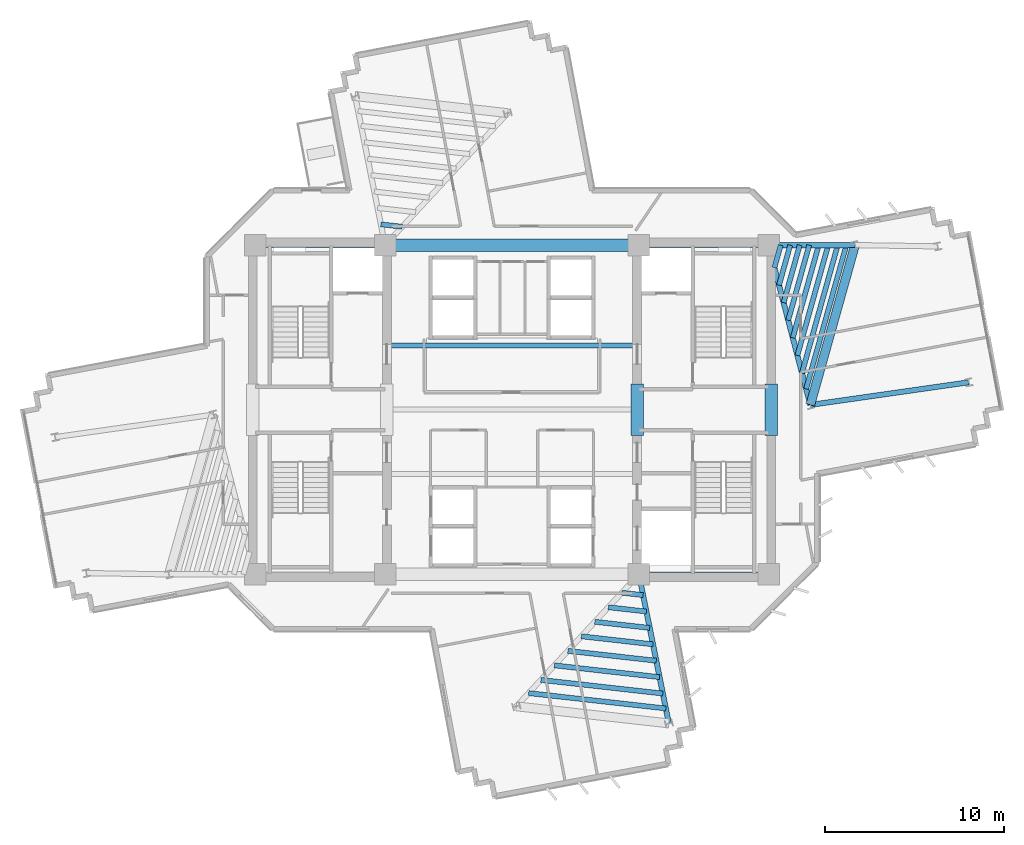
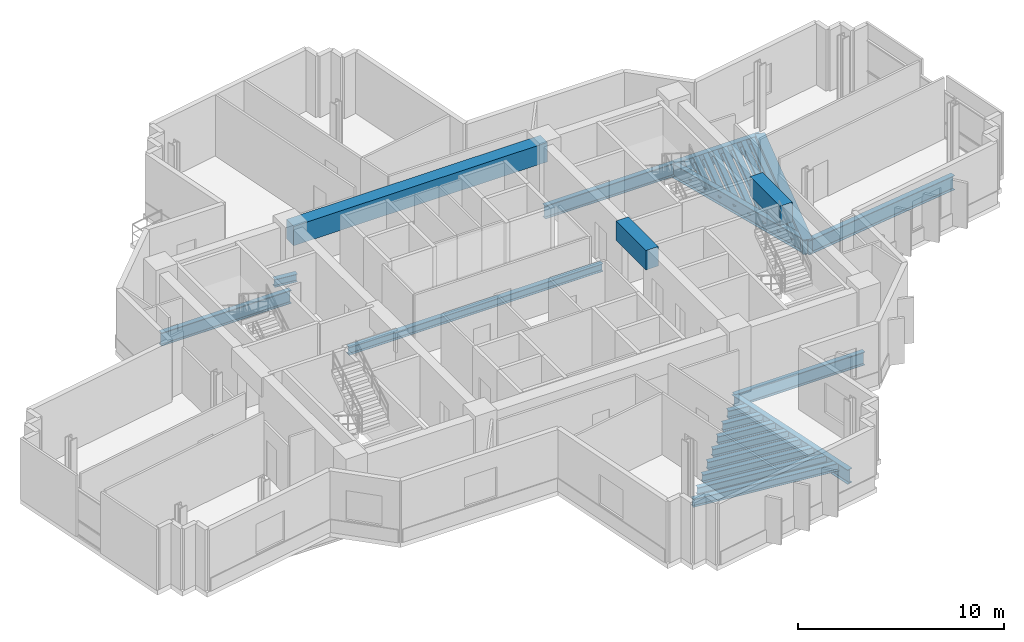
# One storey, part 5 of 16: 29 beams.
"""IFC4 building model written with IfcOpenShell, lengths in metres."""

from ifc_helpers import new_model, si_unit, direction, frame, origin, origin_2d, place, context, subcontext, project, spatial, rectangle, i_section, extrude, source, transform, mapped, material, material_profile, profile_set, type_object, element, save


model = new_model("IFC4")

# Units and contexts
model_context = context("Model", 3, precision=1e-05, world=origin(), true_north=direction((0.0, 1.0)))
body_context = subcontext(model_context, "Body", "Model", "MODEL_VIEW")
ifc_project = project(units=[si_unit("LENGTHUNIT", "METRE"), si_unit("AREAUNIT", "SQUARE_METRE"), si_unit("VOLUMEUNIT", "CUBIC_METRE"), si_unit("PLANEANGLEUNIT", "RADIAN"), si_unit("MASSUNIT", "GRAM", prefix="KILO")], contexts=[model_context])

# Site, building, storey
site_placement = place(None, origin())
site = spatial("IfcSite", under=ifc_project, at=site_placement, CompositionType="ELEMENT")
building_placement = place(site_placement, origin())
building = spatial("IfcBuilding", under=site, at=building_placement, Name="Zahravan Cultural Tower", CompositionType="ELEMENT")
storey_placement = place(building_placement, frame((0.0, 0.0, 155.10009765625)))
storey = spatial("IfcBuildingStorey", under=building, at=storey_placement, Name="L35", CompositionType="ELEMENT", Elevation=155.10009765625)

# Beams
ifc_material_1 = material(Name="Concrete C50/60", Category="concrete")
ifc_material_profile_1 = material_profile(ifc_material_1, rectangle(XDim=0.699951171875, YDim=1.14990234375, at=origin_2d()), Name="RC700X1150")
ifc_profile_set_1 = profile_set([ifc_material_profile_1], Name="Concrete C50/60")
beam_type_1 = type_object("IfcBeamType", Name="BM-LN-RC700X1150", PredefinedType="LINTEL", material=ifc_profile_set_1)
shared_shape_1 = source(origin(), body_context, "Body", "SweptSolid", [
    extrude(rectangle(XDim=0.699951171875, YDim=1.14990234375, at=origin_2d()), origin(), (0.0, 0.0, 1.0), 14.2001953125),
])
beam_1_placement = place(storey_placement, frame((28.89990234375, 36.199951171875, 3.044921875), z_axis=(1.0, 0.0, 0.0), x_axis=(0.0, 1.0, 0.0)))
element("IfcBeam", 1, at=beam_1_placement, inside=storey, type_object=beam_type_1, Name="L35 Beam LN-L35-N", PredefinedType="LINTEL", context=body_context, shape_type="MappedRepresentation", body=[
    mapped(shared_shape_1, transform((0.0, 0.0, 0.0), x_axis=(1.0, 0.0, 0.0), y_axis=(0.0, 1.0, 0.0), z_axis=(0.0, 0.0, 1.0), scale=1.0)),
])
shared_shape_2 = source(origin(), body_context, "Body", "SweptSolid", [
    extrude(rectangle(XDim=0.699951171875, YDim=1.14990234375, at=origin_2d()), origin(), (0.0, 0.0, 1.0), 2.89990234375),
])
for number, where, z_axis, x_axis, name in (
    (2, (43.0, 25.550048828125, 3.044921875), (0.0, 1.0, 0.0), (-1.0, 0.0, 0.0), "L35 Beam LN-L35-PEW"),
    (3, (50.5, 25.550048828125, 3.044921875), (0.0, 1.0, 0.0), (-1.0, 0.0, 0.0), "L35 Beam LN-L35-PEE"),
):
    element("IfcBeam", number, at=place(storey_placement, frame(where, z_axis=z_axis, x_axis=x_axis)), inside=storey, type_object=beam_type_1, Name=name, PredefinedType="LINTEL", context=body_context, shape_type="MappedRepresentation", body=[
        mapped(shared_shape_2, transform((0.0, 0.0, 0.0), x_axis=(1.0, 0.0, 0.0), y_axis=(0.0, 1.0, 0.0), z_axis=(0.0, 0.0, 1.0), scale=1.0)),
    ])
ifc_material_2 = material(Name="Steel ASTM A992 Grade 50", Category="steel")
ifc_material_profile_2 = material_profile(ifc_material_2, i_section(OverallWidth=0.26611328125, OverallDepth=0.780029296875, WebThickness=0.0166015625, FlangeThickness=0.030029296875, FilletRadius=0.01904296875, at=origin_2d()), Name="W30X148")
ifc_profile_set_2 = profile_set([ifc_material_profile_2], Name="Steel ASTM A992 Grade 50")
beam_type_2 = type_object("IfcBeamType", Name="BM-G-W30X148", PredefinedType="BEAM", material=ifc_profile_set_2)
shared_shape_3 = source(origin(), body_context, "Body", "SweptSolid", [
    extrude(i_section(OverallWidth=0.26611328125, OverallDepth=0.780029296875, WebThickness=0.0166015625, FlangeThickness=0.030029296875, FilletRadius=0.01904296875, at=origin_2d()), origin(), (0.0, 0.0, 1.0), 7.25),
])
for number, where, z_axis, x_axis, name in (
    (4, (21.64990234375, 36.199951171875, -0.670166015625), (1.0, 0.0, 0.0), (0.0, 1.0, 0.0), "L35 Beam BG-L35-02"),
    (5, (43.10009765625, 17.800048828125, -0.670166015625), (1.0, 0.0, 0.0), (0.0, 1.0, 0.0), "L35 Beam BG-L35-04"),
    (6, (43.10009765625, 36.199951171875, -0.670166015625), (1.0, 0.0, 0.0), (0.0, 1.0, 0.0), "L35 Beam BG-L35-05"),
):
    element("IfcBeam", number, at=place(storey_placement, frame(where, z_axis=z_axis, x_axis=x_axis)), inside=storey, type_object=beam_type_2, Name=name, PredefinedType="BEAM", context=body_context, shape_type="MappedRepresentation", body=[
        mapped(shared_shape_3, transform((0.0, 0.0, 0.0), x_axis=(1.0, 0.0, 0.0), y_axis=(0.0, 1.0, 0.0), z_axis=(0.0, 0.0, 1.0), scale=1.0)),
    ])
ifc_material_profile_3 = material_profile(ifc_material_1, rectangle(XDim=0.5, YDim=0.85009765625, at=origin_2d()), Name="RC500X850")
ifc_profile_set_3 = profile_set([ifc_material_profile_3], Name="Concrete C50/60")
beam_type_3 = type_object("IfcBeamType", Name="BM-SP-RC500X850", PredefinedType="SPANDREL", material=ifc_profile_set_3)
shared_shape_4 = source(origin(), body_context, "Body", "SweptSolid", [
    extrude(rectangle(XDim=0.5, YDim=0.85009765625, at=origin_2d()), origin(), (0.0, 0.0, 1.0), 9.2783203125),
])
beam_2_placement = place(storey_placement, frame((52.684326171875, 27.27099609375, -0.705078125), z_axis=(0.269497187032, 0.963001176625, 0.0), x_axis=(-0.963001176625, 0.269497187032, 0.0)))
element("IfcBeam", 7, at=beam_2_placement, inside=storey, type_object=beam_type_3, Name="L35 Beam SP-L35-21", PredefinedType="SPANDREL", context=body_context, shape_type="MappedRepresentation", body=[
    mapped(shared_shape_4, transform((0.0, 0.0, 0.0), x_axis=(1.0, 0.0, 0.0), y_axis=(0.0, 1.0, 0.0), z_axis=(0.0, 0.0, 1.0), scale=1.0)),
])
ifc_material_profile_4 = material_profile(ifc_material_2, i_section(OverallWidth=0.29296875, OverallDepth=0.845947265625, WebThickness=0.015380859375, FlangeThickness=0.0244140625, FilletRadius=0.02001953125, at=origin_2d()), Name="W33X141")
ifc_profile_set_4 = profile_set([ifc_material_profile_4], Name="Steel ASTM A992 Grade 50")
beam_type_4 = type_object("IfcBeamType", Name="BM-G-W33X141", PredefinedType="BEAM", material=ifc_profile_set_4)
shared_shape_5 = source(origin(), body_context, "Body", "SweptSolid", [
    extrude(i_section(OverallWidth=0.29296875, OverallDepth=0.845947265625, WebThickness=0.015380859375, FlangeThickness=0.0244140625, FilletRadius=0.02001953125, at=origin_2d()), origin(), (0.0, 0.0, 1.0), 9.22900390625),
])
beam_3_placement = place(storey_placement, frame((50.35009765625, 36.199951171875, -0.703125), z_axis=(0.252922608408, -0.967486513682, 0.0), x_axis=(0.967486513682, 0.252922608408, 0.0)))
element("IfcBeam", 8, at=beam_3_placement, inside=storey, type_object=beam_type_4, Name="L35 Beam BG-L35-11", PredefinedType="BEAM", context=body_context, shape_type="MappedRepresentation", body=[
    mapped(shared_shape_5, transform((0.0, 0.0, 0.0), x_axis=(1.0, 0.0, 0.0), y_axis=(0.0, 1.0, 0.0), z_axis=(0.0, 0.0, 1.0), scale=1.0)),
])
shared_shape_6 = source(origin(), body_context, "Body", "SweptSolid", [
    extrude(i_section(OverallWidth=0.29296875, OverallDepth=0.845947265625, WebThickness=0.015380859375, FlangeThickness=0.0244140625, FilletRadius=0.02001953125, at=origin_2d()), origin(), (0.0, 0.0, 1.0), 4.834716796875),
])
beam_4_placement = place(storey_placement, frame((50.35009765625, 36.199951171875, -0.703125), z_axis=(0.99999920313, 0.001262433979, 0.0), x_axis=(-0.001262433979, 0.99999920313, 0.0)))
element("IfcBeam", 9, at=beam_4_placement, inside=storey, type_object=beam_type_4, Name="L35 Beam BG-L35-12", PredefinedType="BEAM", context=body_context, shape_type="MappedRepresentation", body=[
    mapped(shared_shape_6, transform((0.0, 0.0, 0.0), x_axis=(1.0, 0.0, 0.0), y_axis=(0.0, 1.0, 0.0), z_axis=(0.0, 0.0, 1.0), scale=1.0)),
])
shared_shape_7 = source(origin(), body_context, "Body", "SweptSolid", [
    extrude(i_section(OverallWidth=0.29296875, OverallDepth=0.845947265625, WebThickness=0.015380859375, FlangeThickness=0.0244140625, FilletRadius=0.02001953125, at=origin_2d()), origin(), (0.0, 0.0, 1.0), 8.50732421875),
])
beam_5_placement = place(storey_placement, frame((43.10009765625, 17.800048828125, -0.703125), z_axis=(0.196524514012, -0.980498911469, 0.0), x_axis=(0.980498911469, 0.196524514012, 0.0)))
element("IfcBeam", 10, at=beam_5_placement, inside=storey, type_object=beam_type_4, Name="L35 Beam BG-L35-10", PredefinedType="BEAM", context=body_context, shape_type="MappedRepresentation", body=[
    mapped(shared_shape_7, transform((0.0, 0.0, 0.0), x_axis=(1.0, 0.0, 0.0), y_axis=(0.0, 1.0, 0.0), z_axis=(0.0, 0.0, 1.0), scale=1.0)),
])
shared_shape_8 = source(origin(), body_context, "Body", "SweptSolid", [
    extrude(i_section(OverallWidth=0.29296875, OverallDepth=0.845947265625, WebThickness=0.015380859375, FlangeThickness=0.0244140625, FilletRadius=0.02001953125, at=origin_2d()), origin(), (0.0, 0.0, 1.0), 8.9580078125),
])
beam_6_placement = place(storey_placement, frame((52.684326171875, 27.27099609375, -0.703125), z_axis=(0.990000122431, 0.141066500584, 0.0), x_axis=(-0.141066500584, 0.990000122431, 0.0)))
element("IfcBeam", 11, at=beam_6_placement, inside=storey, type_object=beam_type_4, Name="L35 Beam BG-L35-15", PredefinedType="BEAM", context=body_context, shape_type="MappedRepresentation", body=[
    mapped(shared_shape_8, transform((0.0, 0.0, 0.0), x_axis=(1.0, 0.0, 0.0), y_axis=(0.0, 1.0, 0.0), z_axis=(0.0, 0.0, 1.0), scale=1.0)),
])
ifc_material_profile_5 = material_profile(ifc_material_2, i_section(OverallWidth=0.280029296875, OverallDepth=0.462890625, WebThickness=0.0107421875, FlangeThickness=0.017333984375, FilletRadius=0.012939453125, at=origin_2d()), Name="W18X76")
ifc_profile_set_5 = profile_set([ifc_material_profile_5], Name="Steel ASTM A992 Grade 50")
beam_type_5 = type_object("IfcBeamType", Name="BM-J-W18X76", PredefinedType="JOIST", material=ifc_profile_set_5)
shared_shape_9 = source(origin(), body_context, "Body", "SweptSolid", [
    extrude(i_section(OverallWidth=0.280029296875, OverallDepth=0.462890625, WebThickness=0.0107421875, FlangeThickness=0.017333984375, FilletRadius=0.012939453125, at=origin_2d()), origin(), (0.0, 0.0, 1.0), 14.2001953125),
])
beam_7_placement = place(storey_placement, frame((28.89990234375, 30.60009765625, -0.51171875), z_axis=(1.0, 0.0, 0.0), x_axis=(0.0, 1.0, 0.0)))
element("IfcBeam", 12, at=beam_7_placement, inside=storey, type_object=beam_type_5, Name="L35 Beam BJ-L35-25", PredefinedType="JOIST", context=body_context, shape_type="MappedRepresentation", body=[
    mapped(shared_shape_9, transform((0.0, 0.0, 0.0), x_axis=(1.0, 0.0, 0.0), y_axis=(0.0, 1.0, 0.0), z_axis=(0.0, 0.0, 1.0), scale=1.0)),
])
shared_shape_10 = source(origin(), body_context, "Body", "SweptSolid", [
    extrude(i_section(OverallWidth=0.280029296875, OverallDepth=0.462890625, WebThickness=0.0107421875, FlangeThickness=0.017333984375, FilletRadius=0.012939453125, at=origin_2d()), origin(), (0.0, 0.0, 1.0), 1.299072265625),
])
beam_8_placement = place(storey_placement, frame((50.6767578125, 34.949951171875, -0.51171875), z_axis=(0.269504444708, 0.962999145525, 0.0), x_axis=(-0.962999145525, 0.269504444708, 0.0)))
element("IfcBeam", 13, at=beam_8_placement, inside=storey, type_object=beam_type_5, Name="L35 Beam BJ-L35-42", PredefinedType="JOIST", context=body_context, shape_type="MappedRepresentation", body=[
    mapped(shared_shape_10, transform((0.0, 0.0, 0.0), x_axis=(1.0, 0.0, 0.0), y_axis=(0.0, 1.0, 0.0), z_axis=(0.0, 0.0, 1.0), scale=1.0)),
])
shared_shape_11 = source(origin(), body_context, "Body", "SweptSolid", [
    extrude(i_section(OverallWidth=0.280029296875, OverallDepth=0.462890625, WebThickness=0.0107421875, FlangeThickness=0.017333984375, FilletRadius=0.012939453125, at=origin_2d()), origin(), (0.0, 0.0, 1.0), 2.3193359375),
])
beam_9_placement = place(storey_placement, frame((50.93359375, 33.9677734375, -0.51171875), z_axis=(0.269462038626, 0.963011012263, 0.0), x_axis=(-0.963011012263, 0.269462038626, 0.0)))
element("IfcBeam", 14, at=beam_9_placement, inside=storey, type_object=beam_type_5, Name="L35 Beam BJ-L35-43", PredefinedType="JOIST", context=body_context, shape_type="MappedRepresentation", body=[
    mapped(shared_shape_11, transform((0.0, 0.0, 0.0), x_axis=(1.0, 0.0, 0.0), y_axis=(0.0, 1.0, 0.0), z_axis=(0.0, 0.0, 1.0), scale=1.0)),
])
shared_shape_12 = source(origin(), body_context, "Body", "SweptSolid", [
    extrude(i_section(OverallWidth=0.280029296875, OverallDepth=0.462890625, WebThickness=0.0107421875, FlangeThickness=0.017333984375, FilletRadius=0.012939453125, at=origin_2d()), origin(), (0.0, 0.0, 1.0), 3.340087890625),
])
beam_10_placement = place(storey_placement, frame((51.190185546875, 32.985595703125, -0.51171875), z_axis=(0.269562146951, 0.962982995141, 0.0), x_axis=(-0.962982995141, 0.269562146951, 0.0)))
element("IfcBeam", 15, at=beam_10_placement, inside=storey, type_object=beam_type_5, Name="L35 Beam BJ-L35-44", PredefinedType="JOIST", context=body_context, shape_type="MappedRepresentation", body=[
    mapped(shared_shape_12, transform((0.0, 0.0, 0.0), x_axis=(1.0, 0.0, 0.0), y_axis=(0.0, 1.0, 0.0), z_axis=(0.0, 0.0, 1.0), scale=1.0)),
])
shared_shape_13 = source(origin(), body_context, "Body", "SweptSolid", [
    extrude(i_section(OverallWidth=0.280029296875, OverallDepth=0.462890625, WebThickness=0.0107421875, FlangeThickness=0.017333984375, FilletRadius=0.012939453125, at=origin_2d()), origin(), (0.0, 0.0, 1.0), 4.36083984375),
])
beam_11_placement = place(storey_placement, frame((51.447021484375, 32.00341796875, -0.51171875), z_axis=(0.269511557673, 0.962997154866, 0.0), x_axis=(-0.962997154866, 0.269511557673, 0.0)))
element("IfcBeam", 16, at=beam_11_placement, inside=storey, type_object=beam_type_5, Name="L35 Beam BJ-L35-45", PredefinedType="JOIST", context=body_context, shape_type="MappedRepresentation", body=[
    mapped(shared_shape_13, transform((0.0, 0.0, 0.0), x_axis=(1.0, 0.0, 0.0), y_axis=(0.0, 1.0, 0.0), z_axis=(0.0, 0.0, 1.0), scale=1.0)),
])
shared_shape_14 = source(origin(), body_context, "Body", "SweptSolid", [
    extrude(i_section(OverallWidth=0.280029296875, OverallDepth=0.462890625, WebThickness=0.0107421875, FlangeThickness=0.017333984375, FilletRadius=0.012939453125, at=origin_2d()), origin(), (0.0, 0.0, 1.0), 5.3818359375),
])
beam_12_placement = place(storey_placement, frame((51.703857421875, 31.02099609375, -0.51171875), z_axis=(0.269510454638, 0.962997463569, 0.0), x_axis=(-0.962997463569, 0.269510454638, 0.0)))
element("IfcBeam", 17, at=beam_12_placement, inside=storey, type_object=beam_type_5, Name="L35 Beam BJ-L35-46", PredefinedType="JOIST", context=body_context, shape_type="MappedRepresentation", body=[
    mapped(shared_shape_14, transform((0.0, 0.0, 0.0), x_axis=(1.0, 0.0, 0.0), y_axis=(0.0, 1.0, 0.0), z_axis=(0.0, 0.0, 1.0), scale=1.0)),
])
shared_shape_15 = source(origin(), body_context, "Body", "SweptSolid", [
    extrude(i_section(OverallWidth=0.280029296875, OverallDepth=0.462890625, WebThickness=0.0107421875, FlangeThickness=0.017333984375, FilletRadius=0.012939453125, at=origin_2d()), origin(), (0.0, 0.0, 1.0), 6.402099609375),
])
beam_13_placement = place(storey_placement, frame((51.960693359375, 30.038818359375, -0.51171875), z_axis=(0.269494133533, 0.963002031146, 0.0), x_axis=(-0.963002031146, 0.269494133533, 0.0)))
element("IfcBeam", 18, at=beam_13_placement, inside=storey, type_object=beam_type_5, Name="L35 Beam BJ-L35-47", PredefinedType="JOIST", context=body_context, shape_type="MappedRepresentation", body=[
    mapped(shared_shape_15, transform((0.0, 0.0, 0.0), x_axis=(1.0, 0.0, 0.0), y_axis=(0.0, 1.0, 0.0), z_axis=(0.0, 0.0, 1.0), scale=1.0)),
])
shared_shape_16 = source(origin(), body_context, "Body", "SweptSolid", [
    extrude(i_section(OverallWidth=0.280029296875, OverallDepth=0.462890625, WebThickness=0.0107421875, FlangeThickness=0.017333984375, FilletRadius=0.012939453125, at=origin_2d()), origin(), (0.0, 0.0, 1.0), 7.4228515625),
])
beam_14_placement = place(storey_placement, frame((52.21728515625, 29.056640625, -0.51171875), z_axis=(0.269504266128, 0.962999195503, 0.0), x_axis=(-0.962999195503, 0.269504266128, 0.0)))
element("IfcBeam", 19, at=beam_14_placement, inside=storey, type_object=beam_type_5, Name="L35 Beam BJ-L35-48", PredefinedType="JOIST", context=body_context, shape_type="MappedRepresentation", body=[
    mapped(shared_shape_16, transform((0.0, 0.0, 0.0), x_axis=(1.0, 0.0, 0.0), y_axis=(0.0, 1.0, 0.0), z_axis=(0.0, 0.0, 1.0), scale=1.0)),
])
shared_shape_17 = source(origin(), body_context, "Body", "SweptSolid", [
    extrude(i_section(OverallWidth=0.280029296875, OverallDepth=0.462890625, WebThickness=0.0107421875, FlangeThickness=0.017333984375, FilletRadius=0.012939453125, at=origin_2d()), origin(), (0.0, 0.0, 1.0), 8.350830078125),
])
beam_15_placement = place(storey_placement, frame((52.450927734375, 28.163818359375, -0.51171875), z_axis=(0.269496539555, 0.963001357822, 0.0), x_axis=(-0.963001357822, 0.269496539555, 0.0)))
element("IfcBeam", 20, at=beam_15_placement, inside=storey, type_object=beam_type_5, Name="L35 Beam BJ-L35-49", PredefinedType="JOIST", context=body_context, shape_type="MappedRepresentation", body=[
    mapped(shared_shape_17, transform((0.0, 0.0, 0.0), x_axis=(1.0, 0.0, 0.0), y_axis=(0.0, 1.0, 0.0), z_axis=(0.0, 0.0, 1.0), scale=1.0)),
])
shared_shape_18 = source(origin(), body_context, "Body", "SweptSolid", [
    extrude(i_section(OverallWidth=0.280029296875, OverallDepth=0.462890625, WebThickness=0.0107421875, FlangeThickness=0.017333984375, FilletRadius=0.012939453125, at=origin_2d()), origin(), (0.0, 0.0, 1.0), 1.201171875),
])
for number, where, z_axis, x_axis, name in (
    (21, (42.140380859375, 16.765625, -0.51171875), (0.99379916149, -0.111190047317, 0.0), (0.111190047317, 0.99379916149, 0.0), "L35 Beam BJ-L35-34"),
    (22, (29.859619140625, 37.234375, -0.51171875), (-0.99379916149, 0.111190047317, 0.0), (-0.111190047317, -0.99379916149, 0.0), "L35 Beam BJ-L35-50"),
):
    element("IfcBeam", number, at=place(storey_placement, frame(where, z_axis=z_axis, x_axis=x_axis)), inside=storey, type_object=beam_type_5, Name=name, PredefinedType="JOIST", context=body_context, shape_type="MappedRepresentation", body=[
        mapped(shared_shape_18, transform((0.0, 0.0, 0.0), x_axis=(1.0, 0.0, 0.0), y_axis=(0.0, 1.0, 0.0), z_axis=(0.0, 0.0, 1.0), scale=1.0)),
    ])
shared_shape_19 = source(origin(), body_context, "Body", "SweptSolid", [
    extrude(i_section(OverallWidth=0.280029296875, OverallDepth=0.462890625, WebThickness=0.0107421875, FlangeThickness=0.017333984375, FilletRadius=0.012939453125, at=origin_2d()), origin(), (0.0, 0.0, 1.0), 2.144775390625),
])
beam_16_placement = place(storey_placement, frame((41.386474609375, 15.953125, -0.51171875), z_axis=(0.993797370806, -0.111206051, 0.0), x_axis=(0.111206051, 0.993797370806, 0.0)))
element("IfcBeam", 23, at=beam_16_placement, inside=storey, type_object=beam_type_5, Name="L35 Beam BJ-L35-35", PredefinedType="JOIST", context=body_context, shape_type="MappedRepresentation", body=[
    mapped(shared_shape_19, transform((0.0, 0.0, 0.0), x_axis=(1.0, 0.0, 0.0), y_axis=(0.0, 1.0, 0.0), z_axis=(0.0, 0.0, 1.0), scale=1.0)),
])
shared_shape_20 = source(origin(), body_context, "Body", "SweptSolid", [
    extrude(i_section(OverallWidth=0.280029296875, OverallDepth=0.462890625, WebThickness=0.0107421875, FlangeThickness=0.017333984375, FilletRadius=0.012939453125, at=origin_2d()), origin(), (0.0, 0.0, 1.0), 3.088623046875),
])
beam_17_placement = place(storey_placement, frame((40.63232421875, 15.140380859375, -0.51171875), z_axis=(0.993805407368, -0.111134208443, 0.0), x_axis=(0.111134208443, 0.993805407368, 0.0)))
element("IfcBeam", 24, at=beam_17_placement, inside=storey, type_object=beam_type_5, Name="L35 Beam BJ-L35-36", PredefinedType="JOIST", context=body_context, shape_type="MappedRepresentation", body=[
    mapped(shared_shape_20, transform((0.0, 0.0, 0.0), x_axis=(1.0, 0.0, 0.0), y_axis=(0.0, 1.0, 0.0), z_axis=(0.0, 0.0, 1.0), scale=1.0)),
])
shared_shape_21 = source(origin(), body_context, "Body", "SweptSolid", [
    extrude(i_section(OverallWidth=0.280029296875, OverallDepth=0.462890625, WebThickness=0.0107421875, FlangeThickness=0.017333984375, FilletRadius=0.012939453125, at=origin_2d()), origin(), (0.0, 0.0, 1.0), 4.0322265625),
])
beam_18_placement = place(storey_placement, frame((39.87841796875, 14.327880859375, -0.51171875), z_axis=(0.993802245601, -0.11116247855, 0.0), x_axis=(0.11116247855, 0.993802245601, 0.0)))
element("IfcBeam", 25, at=beam_18_placement, inside=storey, type_object=beam_type_5, Name="L35 Beam BJ-L35-37", PredefinedType="JOIST", context=body_context, shape_type="MappedRepresentation", body=[
    mapped(shared_shape_21, transform((0.0, 0.0, 0.0), x_axis=(1.0, 0.0, 0.0), y_axis=(0.0, 1.0, 0.0), z_axis=(0.0, 0.0, 1.0), scale=1.0)),
])
shared_shape_22 = source(origin(), body_context, "Body", "SweptSolid", [
    extrude(i_section(OverallWidth=0.280029296875, OverallDepth=0.462890625, WebThickness=0.0107421875, FlangeThickness=0.017333984375, FilletRadius=0.012939453125, at=origin_2d()), origin(), (0.0, 0.0, 1.0), 4.97607421875),
])
beam_19_placement = place(storey_placement, frame((39.124267578125, 13.51513671875, -0.51171875), z_axis=(0.993806308517, -0.111126149723, 0.0), x_axis=(0.111126149723, 0.993806308517, 0.0)))
element("IfcBeam", 26, at=beam_19_placement, inside=storey, type_object=beam_type_5, Name="L35 Beam BJ-L35-38", PredefinedType="JOIST", context=body_context, shape_type="MappedRepresentation", body=[
    mapped(shared_shape_22, transform((0.0, 0.0, 0.0), x_axis=(1.0, 0.0, 0.0), y_axis=(0.0, 1.0, 0.0), z_axis=(0.0, 0.0, 1.0), scale=1.0)),
])
shared_shape_23 = source(origin(), body_context, "Body", "SweptSolid", [
    extrude(i_section(OverallWidth=0.280029296875, OverallDepth=0.462890625, WebThickness=0.0107421875, FlangeThickness=0.017333984375, FilletRadius=0.012939453125, at=origin_2d()), origin(), (0.0, 0.0, 1.0), 5.919921875),
])
beam_20_placement = place(storey_placement, frame((38.370361328125, 12.70263671875, -0.51171875), z_axis=(0.993804520866, -0.111142135602, 0.0), x_axis=(0.111142135602, 0.993804520866, 0.0)))
element("IfcBeam", 27, at=beam_20_placement, inside=storey, type_object=beam_type_5, Name="L35 Beam BJ-L35-39", PredefinedType="JOIST", context=body_context, shape_type="MappedRepresentation", body=[
    mapped(shared_shape_23, transform((0.0, 0.0, 0.0), x_axis=(1.0, 0.0, 0.0), y_axis=(0.0, 1.0, 0.0), z_axis=(0.0, 0.0, 1.0), scale=1.0)),
])
shared_shape_24 = source(origin(), body_context, "Body", "SweptSolid", [
    extrude(i_section(OverallWidth=0.280029296875, OverallDepth=0.462890625, WebThickness=0.0107421875, FlangeThickness=0.017333984375, FilletRadius=0.012939453125, at=origin_2d()), origin(), (0.0, 0.0, 1.0), 6.86376953125),
])
beam_21_placement = place(storey_placement, frame((37.6162109375, 11.889892578125, -0.51171875), z_axis=(0.993803224695, -0.111153725024, 0.0), x_axis=(0.111153725024, 0.993803224695, 0.0)))
element("IfcBeam", 28, at=beam_21_placement, inside=storey, type_object=beam_type_5, Name="L35 Beam BJ-L35-40", PredefinedType="JOIST", context=body_context, shape_type="MappedRepresentation", body=[
    mapped(shared_shape_24, transform((0.0, 0.0, 0.0), x_axis=(1.0, 0.0, 0.0), y_axis=(0.0, 1.0, 0.0), z_axis=(0.0, 0.0, 1.0), scale=1.0)),
])
shared_shape_25 = source(origin(), body_context, "Body", "SweptSolid", [
    extrude(i_section(OverallWidth=0.280029296875, OverallDepth=0.462890625, WebThickness=0.0107421875, FlangeThickness=0.017333984375, FilletRadius=0.012939453125, at=origin_2d()), origin(), (0.0, 0.0, 1.0), 7.7216796875),
])
beam_22_placement = place(storey_placement, frame((36.930908203125, 11.151123046875, -0.51171875), z_axis=(0.993805212115, -0.11113595446, 0.0), x_axis=(0.11113595446, 0.993805212115, 0.0)))
element("IfcBeam", 29, at=beam_22_placement, inside=storey, type_object=beam_type_5, Name="L35 Beam BJ-L35-41", PredefinedType="JOIST", context=body_context, shape_type="MappedRepresentation", body=[
    mapped(shared_shape_25, transform((0.0, 0.0, 0.0), x_axis=(1.0, 0.0, 0.0), y_axis=(0.0, 1.0, 0.0), z_axis=(0.0, 0.0, 1.0), scale=1.0)),
])

save(model, "model.ifc")
